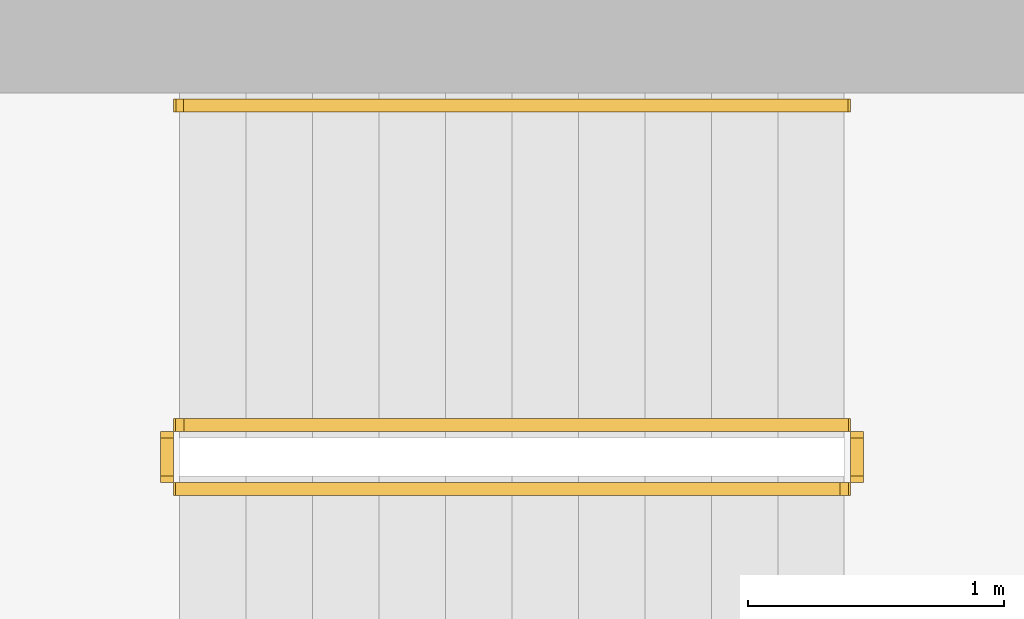
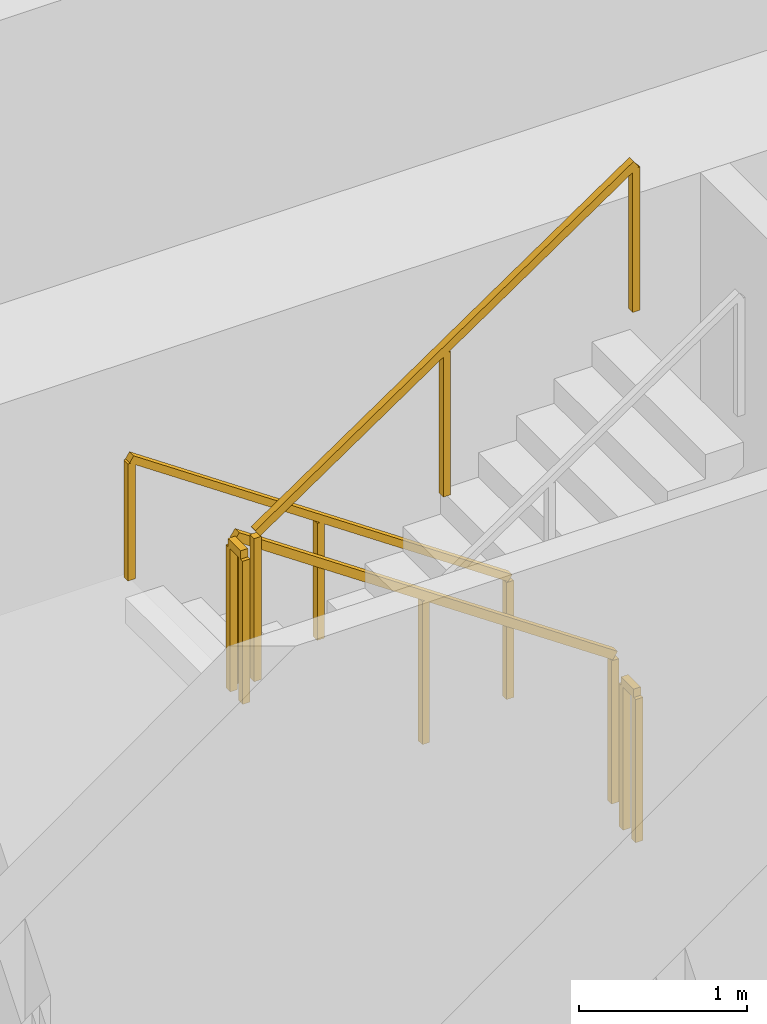
# One storey, part 13 of 14: 5 railings.
"""IFC4 building model written with IfcOpenShell, lengths in metres."""

from ifc_helpers import new_model, si_unit, direction, frame, origin, origin_2d, place, context, subcontext, project, spatial, rectangle, extrude, material, type_object, element, save


model = new_model("IFC4")

# Units and contexts
model_context = context("Model", 3, precision=1e-05, world=origin(), true_north=direction((0.0, 1.0)))
body_context = subcontext(model_context, "Body", "Model", "MODEL_VIEW")
ifc_project = project(units=[si_unit("LENGTHUNIT", "METRE"), si_unit("AREAUNIT", "SQUARE_METRE"), si_unit("VOLUMEUNIT", "CUBIC_METRE"), si_unit("PLANEANGLEUNIT", "RADIAN"), si_unit("MASSUNIT", "GRAM", prefix="KILO")], contexts=[model_context])

# Site, building, storey
site_placement = place(None, origin())
site = spatial("IfcSite", under=ifc_project, at=site_placement, CompositionType="ELEMENT")
building_placement = place(site_placement, origin())
building = spatial("IfcBuilding", under=site, at=building_placement, Name="Khepri Terraces", CompositionType="ELEMENT")
storey_placement = place(building_placement, frame((0.0, 0.0, 271.800048828125)))
storey = spatial("IfcBuildingStorey", under=building, at=storey_placement, Name="L65", CompositionType="ELEMENT", Elevation=271.800048828125)

# Railings
ifc_material = material(Name="Stainless steel 316", Category="steel")
railing_type_1 = type_object("IfcRailingType", Name="RL-CORE-GUARD", PredefinedType="GUARDRAIL", material=ifc_material)
railing_1_placement = place(storey_placement, frame((-0.25, 8.800048828125, 0.17724609375)))
element("IfcRailing", 1, at=railing_1_placement, inside=storey, type_object=railing_type_1, Name="L65 ST-3 stair guard 1", PredefinedType="GUARDRAIL", context=body_context, shape_type="SweptSolid", body=[
    extrude(rectangle(XDim=0.050048828125, YDim=0.06005859375, at=origin_2d()), frame((0.0, 0.0, 1.070068359375), z_axis=(-0.826240473404, 0.0, 0.563317565952), x_axis=(0.0, -1.0, 0.0)), (0.0, 0.0, 1.0), 3.14697265625),
    extrude(rectangle(XDim=0.050048828125, YDim=0.050048828125, at=origin_2d()), origin(), (0.0, 0.0, 1.0), 1.0400390625),
    extrude(rectangle(XDim=0.050048828125, YDim=0.050048828125, at=origin_2d()), frame((-1.300048828125, 0.0, 0.88623046875)), (0.0, 0.0, 1.0), 1.0400390625),
    extrude(rectangle(XDim=0.050048828125, YDim=0.050048828125, at=origin_2d()), frame((-2.60009765625, 0.0, 1.772705078125)), (0.0, 0.0, 1.0), 1.0400390625),
])
railing_2_placement = place(storey_placement, frame((-2.89990234375, 8.75, 1.949951171875)))
element("IfcRailing", 2, at=railing_2_placement, inside=storey, type_object=railing_type_1, Name="L65 ST-3 stair guard 2", PredefinedType="GUARDRAIL", context=body_context, shape_type="SweptSolid", body=[
    extrude(rectangle(XDim=0.050048828125, YDim=0.06005859375, at=origin_2d()), frame((0.0, 0.0, 1.070068359375), z_axis=(0.0, -1.0, 0.0), x_axis=(1.0, 0.0, 0.0)), (0.0, 0.0, 1.0), 0.14990234375),
    extrude(rectangle(XDim=0.050048828125, YDim=0.050048828125, at=origin_2d()), origin(), (0.0, 0.0, 1.0), 1.0400390625),
    extrude(rectangle(XDim=0.050048828125, YDim=0.050048828125, at=origin_2d()), frame((0.0, -0.14990234375, 0.0)), (0.0, 0.0, 1.0), 1.0400390625),
])
railing_3_placement = place(storey_placement, frame((-2.85009765625, 8.550048828125, 2.127197265625)))
element("IfcRailing", 3, at=railing_3_placement, inside=storey, type_object=railing_type_1, Name="L65 ST-3 stair guard 3", PredefinedType="GUARDRAIL", context=body_context, shape_type="SweptSolid", body=[
    extrude(rectangle(XDim=0.050048828125, YDim=0.06005859375, at=origin_2d()), frame((0.0, 0.0, 1.070068359375), z_axis=(0.826240473404, 0.0, 0.563317565952), x_axis=(0.0, 1.0, 0.0)), (0.0, 0.0, 1.0), 3.14697265625),
    extrude(rectangle(XDim=0.050048828125, YDim=0.050048828125, at=origin_2d()), origin(), (0.0, 0.0, 1.0), 1.0400390625),
    extrude(rectangle(XDim=0.050048828125, YDim=0.050048828125, at=origin_2d()), frame((1.300048828125, 0.0, 0.88623046875)), (0.0, 0.0, 1.0), 1.0400390625),
    extrude(rectangle(XDim=0.050048828125, YDim=0.050048828125, at=origin_2d()), frame((2.60009765625, 0.0, 1.772705078125)), (0.0, 0.0, 1.0), 1.0400390625),
])
railing_4_placement = place(storey_placement, frame((-0.199951171875, 8.75, 0.0)))
element("IfcRailing", 4, at=railing_4_placement, inside=storey, type_object=railing_type_1, Name="L65 ST-3 stair guard 4", PredefinedType="GUARDRAIL", context=body_context, shape_type="SweptSolid", body=[
    extrude(rectangle(XDim=0.050048828125, YDim=0.06005859375, at=origin_2d()), frame((0.0, 0.0, 1.070068359375), z_axis=(0.0, -1.0, 0.0), x_axis=(1.0, 0.0, 0.0)), (0.0, 0.0, 1.0), 0.14990234375),
    extrude(rectangle(XDim=0.050048828125, YDim=0.050048828125, at=origin_2d()), origin(), (0.0, 0.0, 1.0), 1.0400390625),
    extrude(rectangle(XDim=0.050048828125, YDim=0.050048828125, at=origin_2d()), frame((0.0, -0.14990234375, 0.0)), (0.0, 0.0, 1.0), 1.0400390625),
])
railing_type_2 = type_object("IfcRailingType", Name="RL-CORE-HANDRAIL", PredefinedType="HANDRAIL", material=ifc_material)
railing_5_placement = place(storey_placement, frame((-0.25, 10.050048828125, 0.17724609375)))
element("IfcRailing", 5, at=railing_5_placement, inside=storey, type_object=railing_type_2, Name="L65 ST-3 stair handrail 1", PredefinedType="HANDRAIL", context=body_context, shape_type="SweptSolid", body=[
    extrude(rectangle(XDim=0.050048828125, YDim=0.050048828125, at=origin_2d()), frame((0.0, 0.0, 0.875), z_axis=(-0.826240473404, 0.0, 0.563317565952), x_axis=(0.0, -1.0, 0.0)), (0.0, 0.0, 1.0), 3.14697265625),
    extrude(rectangle(XDim=0.050048828125, YDim=0.050048828125, at=origin_2d()), origin(), (0.0, 0.0, 1.0), 0.849853515625),
    extrude(rectangle(XDim=0.050048828125, YDim=0.050048828125, at=origin_2d()), frame((-1.300048828125, 0.0, 0.88623046875)), (0.0, 0.0, 1.0), 0.849853515625),
    extrude(rectangle(XDim=0.050048828125, YDim=0.050048828125, at=origin_2d()), frame((-2.60009765625, 0.0, 1.772705078125)), (0.0, 0.0, 1.0), 0.849853515625),
])

save(model, "model.ifc")
